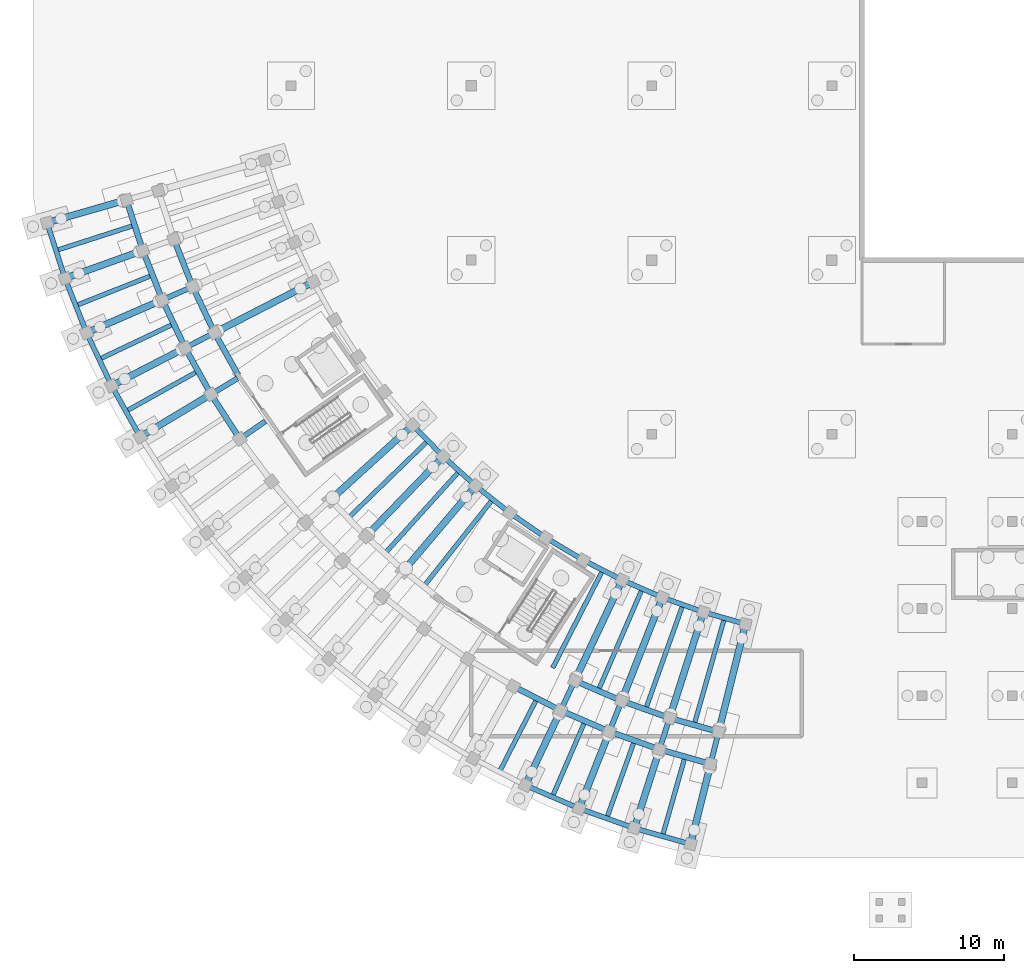
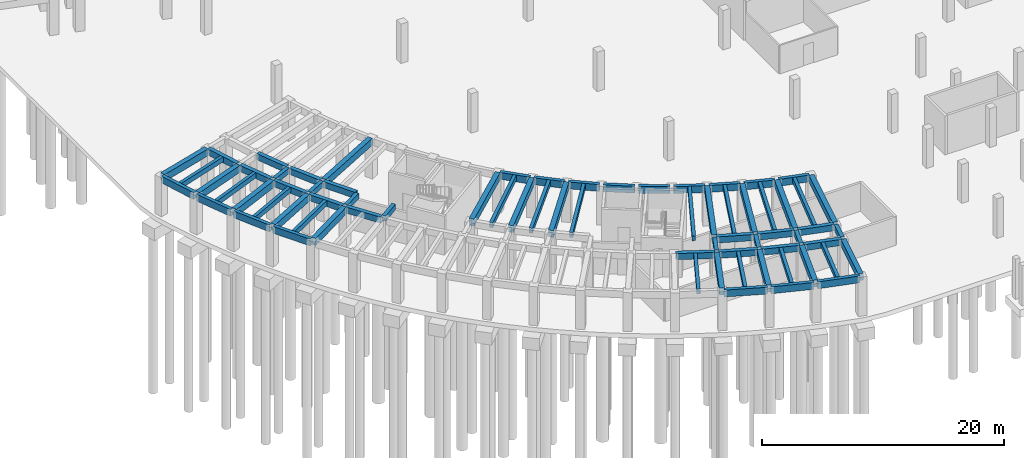
# One storey, part 10 of 29: 71 beams.
"""IFC4 building model written with IfcOpenShell, lengths in metres."""

import ifcopenshell
import ifcopenshell.guid

model = None  # the IFC model being written
_history = None  # IfcOwnerHistory: only IFC2X3 demands one
_inside = {}  # id of a spatial element -> (the spatial element, [elements in it])
_under = {}  # id of a project, library or spatial element -> (it, [spatial elements below it])
_declared = {}  # id of a project -> (the project, [libraries it declares])
_typed = {}  # id of a type object -> (the type object, [elements of that type])
_made_of = {}  # id of a material, layer set ... -> (it, [elements and type objects made of it])


def new_model(schema):
    """Start an empty IFC model of exactly this schema.

    Asked for "IFC4X3", IfcOpenShell would pick the latest addendum, in which some entities
    have other attributes; the version numbers below select the first issue.
    IFC2X3 requires an IfcOwnerHistory on every rooted entity: one is made here for all.
    """
    global model, _history
    if schema == "IFC4X3":
        model = ifcopenshell.file(schema_version=(4, 3, 0, 0))
    else:
        model = ifcopenshell.file(schema=schema)
    _inside.clear()
    _under.clear()
    _declared.clear()
    _typed.clear()
    _made_of.clear()
    _history = None
    if model.schema == "IFC2X3":
        org = make("IfcOrganization", Name="unknown")
        user = make(
            "IfcPersonAndOrganization",
            ThePerson=make("IfcPerson", FamilyName="unknown"),
            TheOrganization=org,
        )
        app = make(
            "IfcApplication",
            ApplicationDeveloper=org,
            Version="unknown",
            ApplicationFullName="unknown",
            ApplicationIdentifier="unknown",
        )
        _history = make(
            "IfcOwnerHistory",
            OwningUser=user,
            OwningApplication=app,
            ChangeAction="ADDED",
            CreationDate=0,
        )
    return model


def make(cls, **values):
    """One entity of the class cls with the attributes given. An attribute that is None is left unset."""
    return model.create_entity(
        cls, **{name: value for name, value in values.items() if value is not None}
    )


def rooted(cls, **values):
    """An entity with a GlobalId (a new one), such as an element, a storey or a relation."""
    return make(cls, GlobalId=ifcopenshell.guid.new(), OwnerHistory=_history, **values)


def si_unit(unit_type, name, prefix=None):
    """IfcSIUnit, for example si_unit("LENGTHUNIT", "METRE", prefix="MILLI")."""
    return make("IfcSIUnit", UnitType=unit_type, Prefix=prefix, Name=name)


def assignment(units):
    """IfcUnitAssignment: the units of a project."""
    return None if units is None else make("IfcUnitAssignment", Units=units)


def point(xyz):
    """IfcCartesianPoint."""
    return None if xyz is None else make("IfcCartesianPoint", Coordinates=xyz)


def direction(xyz):
    """IfcDirection."""
    return None if xyz is None else make("IfcDirection", DirectionRatios=xyz)


def frame(location, z_axis=None, x_axis=None):
    """IfcAxis2Placement3D, a coordinate frame: its origin and axes. An axis left out is left unset."""
    return make(
        "IfcAxis2Placement3D",
        Location=point(location),
        Axis=direction(z_axis),
        RefDirection=direction(x_axis),
    )


def frame_2d(location, x_axis=None):
    """IfcAxis2Placement2D, a coordinate frame in the plane: its origin and x axis."""
    return make(
        "IfcAxis2Placement2D", Location=point(location), RefDirection=direction(x_axis)
    )


def origin():
    """The frame at (0, 0, 0) with its axes left unset."""
    return frame((0.0, 0.0, 0.0))


def origin_2d():
    """The frame at (0, 0) in the plane with its x axis left unset."""
    return frame_2d((0.0, 0.0))


def place(relative_to, where):
    """IfcLocalPlacement: puts the frame where relative to a parent placement (None: the world)."""
    return make(
        "IfcLocalPlacement", PlacementRelTo=relative_to, RelativePlacement=where
    )


def context(
    kind, dimensions, precision=None, world=None, true_north=None, identifier=None
):
    """IfcGeometricRepresentationContext, for example the 3D "Model" context."""
    return make(
        "IfcGeometricRepresentationContext",
        ContextIdentifier=identifier,
        ContextType=kind,
        CoordinateSpaceDimension=dimensions,
        Precision=precision,
        WorldCoordinateSystem=world,
        TrueNorth=true_north,
    )


def subcontext(parent, identifier, kind, view, scale=None):
    """IfcGeometricRepresentationSubContext, for example "Body" below "Model"."""
    return make(
        "IfcGeometricRepresentationSubContext",
        ContextIdentifier=identifier,
        ContextType=kind,
        ParentContext=parent,
        TargetScale=scale,
        TargetView=view,
    )


def project(units=None, contexts=None):
    """IfcProject with its units and contexts."""
    return rooted(
        "IfcProject",
        Name="project",
        RepresentationContexts=contexts,
        UnitsInContext=assignment(units),
    )


def spatial(cls, under=None, at=None, **own):
    """A site, building, storey or space (cls), placed at a placement, below another one or the project."""
    s = rooted(cls, ObjectPlacement=at, **own)
    if under is not None:
        _under.setdefault(under.id(), (under, []))[1].append(s)
    return s


def profile(cls, at=None, kind="AREA", **sizes):
    """A parametric profile (cls). Its sizes go by their IFC names, for example OverallWidth=200.0."""
    return make(cls, ProfileType=kind, Position=at, **sizes)


def rectangle(**sizes):
    """IfcRectangleProfileDef."""
    return profile("IfcRectangleProfileDef", **sizes)


def extrude(swept, where, along, depth):
    """IfcExtrudedAreaSolid: the profile swept, set in the frame where, extruded along a direction by depth."""
    return make(
        "IfcExtrudedAreaSolid",
        SweptArea=swept,
        Position=where,
        ExtrudedDirection=direction(along),
        Depth=depth,
    )


def shape(context_of_items, identifier, shape_type, items):
    """IfcShapeRepresentation: the items that make up one representation, for example the "Body"."""
    return make(
        "IfcShapeRepresentation",
        ContextOfItems=context_of_items,
        RepresentationIdentifier=identifier,
        RepresentationType=shape_type,
        Items=items,
    )


def material(Name=None, Category=None):
    """IfcMaterial."""
    return make("IfcMaterial", Name=Name, Category=Category)


def material_profile(
    of_material, cross_section, Name=None, Category=None, Priority=None
):
    """IfcMaterialProfile: a cross section and its material."""
    return make(
        "IfcMaterialProfile",
        Name=Name,
        Material=of_material,
        Profile=cross_section,
        Priority=Priority,
        Category=Category,
    )


def profile_set(profiles, Name=None, composite=None):
    """IfcMaterialProfileSet."""
    return make(
        "IfcMaterialProfileSet",
        Name=Name,
        MaterialProfiles=profiles,
        CompositeProfile=composite,
    )


def made_of(thing, what):
    """Note that an element or type object is made of a material, layer set ...; save() writes the relation."""
    if what is not None:
        _made_of.setdefault(what.id(), (what, []))[1].append(thing)
    return thing


def type_object(cls, material=None, **own):
    """A type object (cls), such as IfcWallType, which elements share."""
    return made_of(rooted(cls, **own), material)


def element(
    cls,
    number,
    at=None,
    inside=None,
    cuts=None,
    type_object=None,
    material=None,
    context=None,
    identifier="Body",
    shape_type=None,
    held_by="IfcProductDefinitionShape",
    body=None,
    shapes=None,
    **own,
):
    """One element of the class cls, such as IfcWall. Its Tag is "e" and its number.

    at: its placement. inside: the storey or other place that contains it. cuts: it is an
    opening in that element (IfcRelVoidsElement). A single representation is given by context,
    identifier, shape_type and body (its items); several are given by shapes. held_by: the class
    of the entity that holds the representations. save() writes the other relations.
    """
    e = rooted(cls, Tag="e%d" % number, ObjectPlacement=at, **own)
    if body is not None:
        shapes = [shape(context, identifier, shape_type, body)]
    if shapes is not None:
        e.Representation = make(held_by, Representations=shapes)
    if inside is not None:
        _inside.setdefault(inside.id(), (inside, []))[1].append(e)
    if cuts is not None:
        rooted(
            "IfcRelVoidsElement", RelatingBuildingElement=cuts, RelatedOpeningElement=e
        )
    if type_object is not None:
        _typed.setdefault(type_object.id(), (type_object, []))[1].append(e)
    return made_of(e, material)


def aggregate(whole, parts):
    """IfcRelAggregates: a whole, such as a stair, and the parts it consists of."""
    return rooted("IfcRelAggregates", RelatingObject=whole, RelatedObjects=parts)


def save(model, path):
    """Write the relations noted so far, then the file.

    IfcRelAggregates (storeys below a building ...), IfcRelContainedInSpatialStructure (elements
    in a storey), IfcRelDefinesByType, IfcRelAssociatesMaterial and IfcRelDeclares: one each for
    every whole, place, type object, material and project.
    """
    for whole, parts in _under.values():
        aggregate(whole, parts)
    for where, things in _inside.values():
        rooted(
            "IfcRelContainedInSpatialStructure",
            RelatedElements=things,
            RelatingStructure=where,
        )
    for kind, things in _typed.values():
        rooted("IfcRelDefinesByType", RelatedObjects=things, RelatingType=kind)
    for what, things in _made_of.values():
        rooted("IfcRelAssociatesMaterial", RelatedObjects=things, RelatingMaterial=what)
    for by, libraries in _declared.values():
        rooted("IfcRelDeclares", RelatingContext=by, RelatedDefinitions=libraries)
    model.write(path)


model = new_model("IFC4")

# Units and contexts
model_context = context("Model", 3, precision=1e-05, world=origin(), true_north=direction((0.0, 1.0)))
body_context = subcontext(model_context, "Body", "Model", "MODEL_VIEW")
ifc_project = project(units=[si_unit("LENGTHUNIT", "METRE"), si_unit("AREAUNIT", "SQUARE_METRE"), si_unit("VOLUMEUNIT", "CUBIC_METRE"), si_unit("PLANEANGLEUNIT", "RADIAN"), si_unit("MASSUNIT", "GRAM", prefix="KILO")], contexts=[model_context])

# Site, building, storey
site_placement = place(None, origin())
site = spatial("IfcSite", under=ifc_project, at=site_placement, CompositionType="ELEMENT")
building_placement = place(site_placement, origin())
building = spatial("IfcBuilding", under=site, at=building_placement, Name="Tanwirah Colonnade Gardens", CompositionType="ELEMENT")
storey_placement = place(building_placement, frame((0.0, 0.0, -4.199951171875)))
storey = spatial("IfcBuildingStorey", under=building, at=storey_placement, Name="B1", CompositionType="ELEMENT", Elevation=-4.199951171875)

# Beams
ifc_material_1 = material(Name="Precast concrete C40/50", Category="concrete")
ifc_material_profile_1 = material_profile(ifc_material_1, rectangle(XDim=0.35009765625, YDim=0.550048828125, at=origin_2d()), Name="PC-BM 350x550")
ifc_profile_set_1 = profile_set([ifc_material_profile_1], Name="Precast concrete C40/50")
beam_type_1 = type_object("IfcBeamType", Name="BM-PC350A", PredefinedType="BEAM", material=ifc_profile_set_1)
beam_1_placement = place(storey_placement, frame((17.31298828125, 43.76513671875, 3.64501953125), z_axis=(-0.917025109963, -0.398829471952, 0.0), x_axis=(0.398829471952, -0.917025109963, 0.0)))
element("IfcBeam", 1, at=beam_1_placement, inside=storey, type_object=beam_type_1, Name="Block C B1 Corridor Tie Beam 2", PredefinedType="BEAM", context=body_context, shape_type="SweptSolid", body=[
    extrude(rectangle(XDim=0.35009765625, YDim=0.550048828125, at=origin_2d()), origin(), (0.0, 0.0, 1.0), 1.900146484375),
])
for number, where, z_axis, x_axis, name in (
    (2, (18.77099609375, 40.690673828125, 3.64501953125), (-0.888965044602, -0.457975053334, 0.0), (0.457975053334, -0.888965044602, 0.0), "Block C B1 Corridor Tie Beam 3"),
    (3, (20.42724609375, 37.718017578125, 3.64501953125), (-0.857186654737, -0.515005863017, 0.0), (0.515005863017, -0.857186654737, 0.0), "Block C B1 Corridor Tie Beam 4"),
):
    element("IfcBeam", number, at=place(storey_placement, frame(where, z_axis=z_axis, x_axis=x_axis)), inside=storey, type_object=beam_type_1, Name=name, PredefinedType="BEAM", context=body_context, shape_type="SweptSolid", body=[
        extrude(rectangle(XDim=0.35009765625, YDim=0.550048828125, at=origin_2d()), origin(), (0.0, 0.0, 1.0), 1.89990234375),
    ])
beam_2_placement = place(storey_placement, frame((22.2744140625, 34.860107421875, 3.64501953125), z_axis=(-0.821669163201, -0.569964723684, 0.0), x_axis=(0.569964723684, -0.821669163201, 0.0)))
element("IfcBeam", 4, at=beam_2_placement, inside=storey, type_object=beam_type_1, Name="Block C B1 Corridor Tie Beam 5", PredefinedType="BEAM", context=body_context, shape_type="SweptSolid", body=[
    extrude(rectangle(XDim=0.35009765625, YDim=0.550048828125, at=origin_2d()), origin(), (0.0, 0.0, 1.0), 1.900146484375),
])
beam_3_placement = place(storey_placement, frame((42.818359375, 17.46826171875, 3.64501953125), z_axis=(-0.426483812015, -0.904495195172, 0.0), x_axis=(0.904495195172, -0.426483812015, 0.0)))
element("IfcBeam", 5, at=beam_3_placement, inside=storey, type_object=beam_type_1, Name="Block C B1 Corridor Tie Beam 13", PredefinedType="BEAM", context=body_context, shape_type="SweptSolid", body=[
    extrude(rectangle(XDim=0.35009765625, YDim=0.550048828125, at=origin_2d()), origin(), (0.0, 0.0, 1.0), 1.89990234375),
])
beam_4_placement = place(storey_placement, frame((45.94189453125, 16.1181640625, 3.64501953125), z_axis=(-0.366511033969, -0.930413704746, 0.0), x_axis=(0.930413704746, -0.366511033969, 0.0)))
element("IfcBeam", 6, at=beam_4_placement, inside=storey, type_object=beam_type_1, Name="Block C B1 Corridor Tie Beam 14", PredefinedType="BEAM", context=body_context, shape_type="SweptSolid", body=[
    extrude(rectangle(XDim=0.35009765625, YDim=0.550048828125, at=origin_2d()), origin(), (0.0, 0.0, 1.0), 1.899658203125),
])
for number, where, z_axis, x_axis, name in (
    (7, (49.14697265625, 14.975341796875, 3.64501953125), (-0.304794376797, -0.952418179096, 0.0), (0.952418179096, -0.304794376797, 0.0), "Block C B1 Corridor Tie Beam 15"),
    (8, (52.420166015625, 14.044677734375, 3.64501953125), (-0.241961122321, -0.970285945114, 0.0), (0.970285945114, -0.241961122321, 0.0), "Block C B1 Corridor Tie Beam 16"),
):
    element("IfcBeam", number, at=place(storey_placement, frame(where, z_axis=z_axis, x_axis=x_axis)), inside=storey, type_object=beam_type_1, Name=name, PredefinedType="BEAM", context=body_context, shape_type="SweptSolid", body=[
        extrude(rectangle(XDim=0.35009765625, YDim=0.550048828125, at=origin_2d()), origin(), (0.0, 0.0, 1.0), 1.89990234375),
    ])
ifc_material_profile_2 = material_profile(ifc_material_1, rectangle(XDim=0.3798828125, YDim=0.6201171875, at=origin_2d()), Name="PC-BM 380x620")
ifc_profile_set_2 = profile_set([ifc_material_profile_2], Name="Precast concrete C40/50")
beam_type_2 = type_object("IfcBeamType", Name="BM-PC380", PredefinedType="BEAM", material=ifc_profile_set_2)
beam_5_placement = place(storey_placement, frame((13.08984375, 49.458984375, 3.60986328125), z_axis=(0.306980742305, -0.951715726388, 0.0), x_axis=(0.951715726388, 0.306980742305, 0.0)))
element("IfcBeam", 9, at=beam_5_placement, inside=storey, type_object=beam_type_2, Name="Block C B1 Circumferential Beam 0-R2", PredefinedType="BEAM", context=body_context, shape_type="SweptSolid", body=[
    extrude(rectangle(XDim=0.3798828125, YDim=0.6201171875, at=origin_2d()), origin(), (0.0, 0.0, 1.0), 3.23681640625),
])
beam_6_placement = place(storey_placement, frame((16.25537109375, 46.839599609375, 3.60986328125), z_axis=(0.368544574427, -0.929610077753, 0.0), x_axis=(0.929610077753, 0.368544574427, 0.0)))
element("IfcBeam", 10, at=beam_6_placement, inside=storey, type_object=beam_type_2, Name="Block C B1 Circumferential Beam 1-R1", PredefinedType="BEAM", context=body_context, shape_type="SweptSolid", body=[
    extrude(rectangle(XDim=0.3798828125, YDim=0.6201171875, at=origin_2d()), origin(), (0.0, 0.0, 1.0), 3.093017578125),
])
beam_7_placement = place(storey_placement, frame((14.184814453125, 46.09619140625, 3.60986328125), z_axis=(0.368527954052, -0.929616666741, 0.0), x_axis=(0.929616666741, 0.368527954052, 0.0)))
element("IfcBeam", 11, at=beam_7_placement, inside=storey, type_object=beam_type_2, Name="Block C B1 Circumferential Beam 1-R2", PredefinedType="BEAM", context=body_context, shape_type="SweptSolid", body=[
    extrude(rectangle(XDim=0.3798828125, YDim=0.6201171875, at=origin_2d()), origin(), (0.0, 0.0, 1.0), 3.23681640625),
])
beam_8_placement = place(storey_placement, frame((17.5146484375, 43.689453125, 3.60986328125), z_axis=(0.428520598641, -0.903532011907, 0.0), x_axis=(0.903532011907, 0.428520598641, 0.0)))
element("IfcBeam", 12, at=beam_8_placement, inside=storey, type_object=beam_type_2, Name="Block C B1 Circumferential Beam 2-R1", PredefinedType="BEAM", context=body_context, shape_type="SweptSolid", body=[
    extrude(rectangle(XDim=0.3798828125, YDim=0.6201171875, at=origin_2d()), origin(), (0.0, 0.0, 1.0), 3.093017578125),
])
beam_9_placement = place(storey_placement, frame((15.4970703125, 42.81201171875, 3.60986328125), z_axis=(0.428562893949, -0.903511951183, 0.0), x_axis=(0.903511951183, 0.428562893949, 0.0)))
element("IfcBeam", 13, at=beam_9_placement, inside=storey, type_object=beam_type_2, Name="Block C B1 Circumferential Beam 2-R2", PredefinedType="BEAM", context=body_context, shape_type="SweptSolid", body=[
    extrude(rectangle(XDim=0.3798828125, YDim=0.6201171875, at=origin_2d()), origin(), (0.0, 0.0, 1.0), 3.23681640625),
])
beam_10_placement = place(storey_placement, frame((18.9775390625, 40.628173828125, 3.60986328125), z_axis=(0.486708181837, -0.873564620239, 0.0), x_axis=(0.873564620239, 0.486708181837, 0.0)))
element("IfcBeam", 14, at=beam_10_placement, inside=storey, type_object=beam_type_2, Name="Block C B1 Circumferential Beam 3-R1", PredefinedType="BEAM", context=body_context, shape_type="SweptSolid", body=[
    extrude(rectangle(XDim=0.3798828125, YDim=0.6201171875, at=origin_2d()), origin(), (0.0, 0.0, 1.0), 3.093017578125),
])
for number, where, z_axis, x_axis, name in (
    (15, (17.021728515625, 39.620849609375, 3.60986328125), (0.486712025227, -0.873562478875, 0.0), (0.873562478875, 0.486712025227, 0.0), "Block C B1 Circumferential Beam 3-R2"),
    (16, (18.75146484375, 36.5361328125, 3.60986328125), (0.542825891173, -0.839845254718, 0.0), (0.839845254718, 0.542825891173, 0.0), "Block C B1 Circumferential Beam 4-R2"),
):
    element("IfcBeam", number, at=place(storey_placement, frame(where, z_axis=z_axis, x_axis=x_axis)), inside=storey, type_object=beam_type_2, Name=name, PredefinedType="BEAM", context=body_context, shape_type="SweptSolid", body=[
        extrude(rectangle(XDim=0.3798828125, YDim=0.6201171875, at=origin_2d()), origin(), (0.0, 0.0, 1.0), 3.23681640625),
    ])
beam_11_placement = place(storey_placement, frame((38.929443359375, 17.158447265625, 3.60986328125), z_axis=(0.890025451153, -0.45591084249, 0.0), x_axis=(0.45591084249, 0.890025451153, 0.0)))
element("IfcBeam", 17, at=beam_11_placement, inside=storey, type_object=beam_type_2, Name="Block C B1 Circumferential Beam 12-R2", PredefinedType="BEAM", context=body_context, shape_type="SweptSolid", body=[
    extrude(rectangle(XDim=0.3798828125, YDim=0.6201171875, at=origin_2d()), origin(), (0.0, 0.0, 1.0), 3.237060546875),
])
beam_12_placement = place(storey_placement, frame((43.02001953125, 17.54443359375, 3.60986328125), z_axis=(0.917936292782, -0.396727819032, 0.0), x_axis=(0.396727819032, 0.917936292782, 0.0)))
element("IfcBeam", 18, at=beam_12_placement, inside=storey, type_object=beam_type_2, Name="Block C B1 Circumferential Beam 13-R1", PredefinedType="BEAM", context=body_context, shape_type="SweptSolid", body=[
    extrude(rectangle(XDim=0.3798828125, YDim=0.6201171875, at=origin_2d()), origin(), (0.0, 0.0, 1.0), 3.093017578125),
])
beam_13_placement = place(storey_placement, frame((42.08154296875, 15.5546875, 3.60986328125), z_axis=(0.917943156181, -0.396711938338, 0.0), x_axis=(0.396711938338, 0.917943156181, 0.0)))
element("IfcBeam", 19, at=beam_13_placement, inside=storey, type_object=beam_type_2, Name="Block C B1 Circumferential Beam 13-R2", PredefinedType="BEAM", context=body_context, shape_type="SweptSolid", body=[
    extrude(rectangle(XDim=0.3798828125, YDim=0.6201171875, at=origin_2d()), origin(), (0.0, 0.0, 1.0), 3.237060546875),
])
beam_14_placement = place(storey_placement, frame((46.13818359375, 16.20751953125, 3.60986328125), z_axis=(0.941911444877, -0.335861325564, 0.0), x_axis=(0.335861325564, 0.941911444877, 0.0)))
element("IfcBeam", 20, at=beam_14_placement, inside=storey, type_object=beam_type_2, Name="Block C B1 Circumferential Beam 14-R1", PredefinedType="BEAM", context=body_context, shape_type="SweptSolid", body=[
    extrude(rectangle(XDim=0.3798828125, YDim=0.6201171875, at=origin_2d()), origin(), (0.0, 0.0, 1.0), 3.093017578125),
])
beam_15_placement = place(storey_placement, frame((45.331787109375, 14.16064453125, 3.60986328125), z_axis=(0.941917534978, -0.335844245597, 0.0), x_axis=(0.335844245597, 0.941917534978, 0.0)))
element("IfcBeam", 21, at=beam_15_placement, inside=storey, type_object=beam_type_2, Name="Block C B1 Circumferential Beam 14-R2", PredefinedType="BEAM", context=body_context, shape_type="SweptSolid", body=[
    extrude(rectangle(XDim=0.3798828125, YDim=0.6201171875, at=origin_2d()), origin(), (0.0, 0.0, 1.0), 3.237060546875),
])
beam_16_placement = place(storey_placement, frame((49.337158203125, 15.0771484375, 3.60986328125), z_axis=(0.961865763464, -0.273521942585, 0.0), x_axis=(0.273521942585, 0.961865763464, 0.0)))
element("IfcBeam", 22, at=beam_16_placement, inside=storey, type_object=beam_type_2, Name="Block C B1 Circumferential Beam 15-R1", PredefinedType="BEAM", context=body_context, shape_type="SweptSolid", body=[
    extrude(rectangle(XDim=0.3798828125, YDim=0.6201171875, at=origin_2d()), origin(), (0.0, 0.0, 1.0), 3.0927734375),
])
beam_17_placement = place(storey_placement, frame((48.666259765625, 12.98193359375, 3.60986328125), z_axis=(0.96185623635, -0.273555443366, 0.0), x_axis=(0.273555443366, 0.96185623635, 0.0)))
element("IfcBeam", 23, at=beam_17_placement, inside=storey, type_object=beam_type_2, Name="Block C B1 Circumferential Beam 15-R2", PredefinedType="BEAM", context=body_context, shape_type="SweptSolid", body=[
    extrude(rectangle(XDim=0.3798828125, YDim=0.6201171875, at=origin_2d()), origin(), (0.0, 0.0, 1.0), 3.237060546875),
])
ifc_material_2 = material(Name="Precast concrete C45/55", Category="concrete")
ifc_material_profile_3 = material_profile(ifc_material_2, rectangle(XDim=0.449951171875, YDim=0.699951171875, at=origin_2d()), Name="PC-BM 450x700")
ifc_profile_set_3 = profile_set([ifc_material_profile_3], Name="Precast concrete C45/55")
beam_type_3 = type_object("IfcBeamType", Name="BM-PC450", PredefinedType="BEAM", material=ifc_profile_set_3)
for number, where, z_axis, x_axis, name in (
    (24, (12.899658203125, 49.560546875, 3.570068359375), (-0.961259519271, -0.275644946646, 0.0), (0.275644946646, -0.961259519271, 0.0), "Block C B1 Outer Radial Precast Girder 0"),
    (25, (13.98828125, 46.184814453125, 3.570068359375), (-0.941179739589, -0.337906344698, 0.0), (0.337906344698, -0.941179739589, 0.0), "Block C B1 Outer Radial Precast Girder 1"),
):
    element("IfcBeam", number, at=place(storey_placement, frame(where, z_axis=z_axis, x_axis=x_axis)), inside=storey, type_object=beam_type_3, Name=name, PredefinedType="BEAM", context=body_context, shape_type="SweptSolid", body=[
        extrude(rectangle(XDim=0.449951171875, YDim=0.699951171875, at=origin_2d()), origin(), (0.0, 0.0, 1.0), 5.199951171875),
    ])
beam_18_placement = place(storey_placement, frame((15.29541015625, 42.8876953125, 3.570068359375), z_axis=(-0.917063338398, -0.398741562126, 0.0), x_axis=(0.398741562126, -0.917063338398, 0.0)))
element("IfcBeam", 26, at=beam_18_placement, inside=storey, type_object=beam_type_3, Name="Block C B1 Outer Radial Precast Girder 2", PredefinedType="BEAM", context=body_context, shape_type="SweptSolid", body=[
    extrude(rectangle(XDim=0.449951171875, YDim=0.699951171875, at=origin_2d()), origin(), (0.0, 0.0, 1.0), 5.2001953125),
])
beam_19_placement = place(storey_placement, frame((19.037841796875, 40.827880859375, 3.570068359375), z_axis=(0.889012732153, 0.457882476265, 0.0), x_axis=(-0.457882476265, 0.889012732153, 0.0)))
element("IfcBeam", 27, at=beam_19_placement, inside=storey, type_object=beam_type_3, Name="Block C B1 Inner Radial Precast Girder 3", PredefinedType="BEAM", context=body_context, shape_type="SweptSolid", body=[
    extrude(rectangle(XDim=0.449951171875, YDim=0.699951171875, at=origin_2d()), origin(), (0.0, 0.0, 1.0), 7.10009765625),
])
for number, where, z_axis, x_axis, name in (
    (28, (16.815185546875, 39.683349609375, 3.570068359375), (-0.889001198624, -0.457904868771, 0.0), (0.457904868771, -0.889001198624, 0.0), "Block C B1 Outer Radial Precast Girder 3"),
    (29, (18.54150390625, 36.5849609375, 3.570068359375), (-0.857165483371, -0.515041099445, 0.0), (0.515041099445, -0.857165483371, 0.0), "Block C B1 Outer Radial Precast Girder 4"),
):
    element("IfcBeam", number, at=place(storey_placement, frame(where, z_axis=z_axis, x_axis=x_axis)), inside=storey, type_object=beam_type_3, Name=name, PredefinedType="BEAM", context=body_context, shape_type="SweptSolid", body=[
        extrude(rectangle(XDim=0.449951171875, YDim=0.699951171875, at=origin_2d()), origin(), (0.0, 0.0, 1.0), 5.199951171875),
    ])
for number, where, z_axis, x_axis, name in (
    (30, (26.730712890625, 29.738525390625, 3.570068359375), (0.740213850321, 0.672371516197, 0.0), (-0.672371516197, 0.740213850321, 0.0), "Block C B1 Inner Radial Precast Girder 7"),
    (31, (29.086181640625, 27.31005859375, 3.570068359375), (0.694654648761, 0.719343394322, 0.0), (-0.719343394322, 0.694654648761, 0.0), "Block C B1 Inner Radial Precast Girder 8"),
):
    element("IfcBeam", number, at=place(storey_placement, frame(where, z_axis=z_axis, x_axis=x_axis)), inside=storey, type_object=beam_type_3, Name=name, PredefinedType="BEAM", context=body_context, shape_type="SweptSolid", body=[
        extrude(rectangle(XDim=0.449951171875, YDim=0.699951171875, at=origin_2d()), origin(), (0.0, 0.0, 1.0), 7.10009765625),
    ])
beam_20_placement = place(storey_placement, frame((31.595458984375, 25.040771484375, 3.570068359375), z_axis=(0.646117950032, 0.763237574184, 0.0), x_axis=(-0.763237574184, 0.646117950032, 0.0)))
element("IfcBeam", 32, at=beam_20_placement, inside=storey, type_object=beam_type_3, Name="Block C B1 Inner Radial Precast Girder 9", PredefinedType="BEAM", context=body_context, shape_type="SweptSolid", body=[
    extrude(rectangle(XDim=0.449951171875, YDim=0.699951171875, at=origin_2d()), origin(), (0.0, 0.0, 1.0), 7.099853515625),
])
beam_21_placement = place(storey_placement, frame((42.9462890625, 17.73974609375, 3.570068359375), z_axis=(0.426588425311, 0.904445860951, 0.0), x_axis=(-0.904445860951, 0.426588425311, 0.0)))
element("IfcBeam", 33, at=beam_21_placement, inside=storey, type_object=beam_type_3, Name="Block C B1 Inner Radial Precast Girder 13", PredefinedType="BEAM", context=body_context, shape_type="SweptSolid", body=[
    extrude(rectangle(XDim=0.449951171875, YDim=0.699951171875, at=origin_2d()), origin(), (0.0, 0.0, 1.0), 7.10009765625),
])
beam_22_placement = place(storey_placement, frame((41.8798828125, 15.478515625, 3.570068359375), z_axis=(-0.426549833975, -0.904464061827, 0.0), x_axis=(0.904464061827, -0.426549833975, 0.0)))
element("IfcBeam", 34, at=beam_22_placement, inside=storey, type_object=beam_type_3, Name="Block C B1 Outer Radial Precast Girder 13", PredefinedType="BEAM", context=body_context, shape_type="SweptSolid", body=[
    extrude(rectangle(XDim=0.449951171875, YDim=0.699951171875, at=origin_2d()), origin(), (0.0, 0.0, 1.0), 5.199951171875),
])
beam_23_placement = place(storey_placement, frame((46.052001953125, 16.3974609375, 3.570068359375), z_axis=(0.366488437166, 0.930422605821, 0.0), x_axis=(-0.930422605821, 0.366488437166, 0.0)))
element("IfcBeam", 35, at=beam_23_placement, inside=storey, type_object=beam_type_3, Name="Block C B1 Inner Radial Precast Girder 14", PredefinedType="BEAM", context=body_context, shape_type="SweptSolid", body=[
    extrude(rectangle(XDim=0.449951171875, YDim=0.699951171875, at=origin_2d()), origin(), (0.0, 0.0, 1.0), 7.099853515625),
])
beam_24_placement = place(storey_placement, frame((45.1357421875, 14.0712890625, 3.570068359375), z_axis=(-0.366536834267, -0.930403541011, 0.0), x_axis=(0.930403541011, -0.366536834267, 0.0)))
element("IfcBeam", 36, at=beam_24_placement, inside=storey, type_object=beam_type_3, Name="Block C B1 Outer Radial Precast Girder 14", PredefinedType="BEAM", context=body_context, shape_type="SweptSolid", body=[
    extrude(rectangle(XDim=0.449951171875, YDim=0.699951171875, at=origin_2d()), origin(), (0.0, 0.0, 1.0), 5.199951171875),
])
beam_25_placement = place(storey_placement, frame((49.238525390625, 15.26123046875, 3.570068359375), z_axis=(0.304868054367, 0.952394597542, 0.0), x_axis=(-0.952394597542, 0.304868054367, 0.0)))
element("IfcBeam", 37, at=beam_25_placement, inside=storey, type_object=beam_type_3, Name="Block C B1 Inner Radial Precast Girder 15", PredefinedType="BEAM", context=body_context, shape_type="SweptSolid", body=[
    extrude(rectangle(XDim=0.449951171875, YDim=0.699951171875, at=origin_2d()), origin(), (0.0, 0.0, 1.0), 7.099853515625),
])
beam_26_placement = place(storey_placement, frame((48.476318359375, 12.880126953125, 3.570068359375), z_axis=(-0.304852387649, -0.952399612424, 0.0), x_axis=(0.952399612424, -0.304852387649, 0.0)))
element("IfcBeam", 38, at=beam_26_placement, inside=storey, type_object=beam_type_3, Name="Block C B1 Outer Radial Precast Girder 15", PredefinedType="BEAM", context=body_context, shape_type="SweptSolid", body=[
    extrude(rectangle(XDim=0.449951171875, YDim=0.699951171875, at=origin_2d()), origin(), (0.0, 0.0, 1.0), 5.199951171875),
])
beam_27_placement = place(storey_placement, frame((52.49267578125, 14.335693359375, 3.570068359375), z_axis=(0.241904492141, 0.97030006528, 0.0), x_axis=(-0.97030006528, 0.241904492141, 0.0)))
element("IfcBeam", 39, at=beam_27_placement, inside=storey, type_object=beam_type_3, Name="Block C B1 Inner Radial Precast Girder 16", PredefinedType="BEAM", context=body_context, shape_type="SweptSolid", body=[
    extrude(rectangle(XDim=0.449951171875, YDim=0.699951171875, at=origin_2d()), origin(), (0.0, 0.0, 1.0), 7.10009765625),
])
beam_28_placement = place(storey_placement, frame((51.887939453125, 11.909912109375, 3.570068359375), z_axis=(-0.241939024015, -0.970291455522, 0.0), x_axis=(0.970291455522, -0.241939024015, 0.0)))
element("IfcBeam", 40, at=beam_28_placement, inside=storey, type_object=beam_type_3, Name="Block C B1 Outer Radial Precast Girder 16", PredefinedType="BEAM", context=body_context, shape_type="SweptSolid", body=[
    extrude(rectangle(XDim=0.449951171875, YDim=0.699951171875, at=origin_2d()), origin(), (0.0, 0.0, 1.0), 5.199951171875),
])
ifc_material_profile_4 = material_profile(ifc_material_1, rectangle(XDim=0.300048828125, YDim=0.5, at=origin_2d()), Name="PC-JST 300x500")
ifc_profile_set_4 = profile_set([ifc_material_profile_4], Name="Precast concrete C40/50")
beam_type_4 = type_object("IfcBeamType", Name="JST-PC300", PredefinedType="JOIST", material=ifc_profile_set_4)
for number, where, z_axis, x_axis, name in (
    (41, (13.44482421875, 47.873046875, 3.669921875), (-0.95172917624, -0.30693904133, 0.0), (0.30693904133, -0.95172917624, 0.0), "Block C B1 Precast Floor Joist 0"),
    (42, (14.642822265625, 44.53662109375, 3.669921875), (-0.929618207145, -0.368524068338, 0.0), (0.368524068338, -0.929618207145, 0.0), "Block C B1 Precast Floor Joist 1"),
    (43, (16.05615234375, 41.285888671875, 3.669921875), (-0.903517509842, -0.428551174785, 0.0), (0.428551174785, -0.903517509842, 0.0), "Block C B1 Precast Floor Joist 2"),
    (44, (17.67919921875, 38.134521484375, 3.669921875), (-0.87356769437, -0.486702664214, 0.0), (0.486702664214, -0.87356769437, 0.0), "Block C B1 Precast Floor Joist 3"),
):
    element("IfcBeam", number, at=place(storey_placement, frame(where, z_axis=z_axis, x_axis=x_axis)), inside=storey, type_object=beam_type_4, Name=name, PredefinedType="JOIST", context=body_context, shape_type="SweptSolid", body=[
        extrude(rectangle(XDim=0.300048828125, YDim=0.5, at=origin_2d()), origin(), (0.0, 0.0, 1.0), 5.260009765625),
    ])
beam_29_placement = place(storey_placement, frame((33.006591796875, 33.46923828125, 3.669921875), z_axis=(-0.717816218075, -0.69623263143, 0.0), x_axis=(0.69623263143, -0.717816218075, 0.0)))
element("IfcBeam", 45, at=beam_29_placement, inside=storey, type_object=beam_type_4, Name="Block C B1 Inner Precast Floor Joist 7", PredefinedType="JOIST", context=body_context, shape_type="SweptSolid", body=[
    extrude(rectangle(XDim=0.300048828125, YDim=0.5, at=origin_2d()), origin(), (0.0, 0.0, 1.0), 7.16015625),
])
for number, where, z_axis, x_axis, name in (
    (46, (35.104736328125, 31.443115234375, 3.669921875), (-0.670773136608, -0.741662591214, 0.0), (0.741662591214, -0.670773136608, 0.0), "Block C B1 Inner Precast Floor Joist 8"),
    (47, (37.33056640625, 29.55859375, 3.669921875), (-0.620803379809, -0.783966302603, 0.0), (0.783966302603, -0.620803379809, 0.0), "Block C B1 Inner Precast Floor Joist 9"),
):
    element("IfcBeam", number, at=place(storey_placement, frame(where, z_axis=z_axis, x_axis=x_axis)), inside=storey, type_object=beam_type_4, Name=name, PredefinedType="JOIST", context=body_context, shape_type="SweptSolid", body=[
        extrude(rectangle(XDim=0.300048828125, YDim=0.5, at=origin_2d()), origin(), (0.0, 0.0, 1.0), 7.159912109375),
    ])
beam_30_placement = place(storey_placement, frame((40.302001953125, 16.287841796875, 3.669921875), z_axis=(-0.455936851617, -0.890012127635, 0.0), x_axis=(0.890012127635, -0.455936851617, 0.0)))
element("IfcBeam", 48, at=beam_30_placement, inside=storey, type_object=beam_type_4, Name="Block C B1 Precast Floor Joist 12", PredefinedType="JOIST", context=body_context, shape_type="SweptSolid", body=[
    extrude(rectangle(XDim=0.300048828125, YDim=0.5, at=origin_2d()), origin(), (0.0, 0.0, 1.0), 5.260009765625),
])
beam_31_placement = place(storey_placement, frame((44.678955078125, 24.83203125, 3.669921875), z_axis=(-0.455921327553, -0.890020080157, 0.0), x_axis=(0.890020080157, -0.455921327553, 0.0)))
element("IfcBeam", 49, at=beam_31_placement, inside=storey, type_object=beam_type_4, Name="Block C B1 Inner Precast Floor Joist 12", PredefinedType="JOIST", context=body_context, shape_type="SweptSolid", body=[
    extrude(rectangle(XDim=0.300048828125, YDim=0.5, at=origin_2d()), origin(), (0.0, 0.0, 1.0), 7.159912109375),
])
beam_32_placement = place(storey_placement, frame((43.50830078125, 14.77587890625, 3.669921875), z_axis=(-0.396746282, -0.917928312952, 0.0), x_axis=(0.917928312952, -0.396746282, 0.0)))
element("IfcBeam", 50, at=beam_32_placement, inside=storey, type_object=beam_type_4, Name="Block C B1 Precast Floor Joist 13", PredefinedType="JOIST", context=body_context, shape_type="SweptSolid", body=[
    extrude(rectangle(XDim=0.300048828125, YDim=0.5, at=origin_2d()), origin(), (0.0, 0.0, 1.0), 5.260009765625),
])
beam_33_placement = place(storey_placement, frame((47.31689453125, 23.587890625, 3.669921875), z_axis=(-0.396736454079, -0.917932560706, 0.0), x_axis=(0.917932560706, -0.396736454079, 0.0)))
element("IfcBeam", 51, at=beam_33_placement, inside=storey, type_object=beam_type_4, Name="Block C B1 Inner Precast Floor Joist 13", PredefinedType="JOIST", context=body_context, shape_type="SweptSolid", body=[
    extrude(rectangle(XDim=0.300048828125, YDim=0.5, at=origin_2d()), origin(), (0.0, 0.0, 1.0), 7.159912109375),
])
beam_34_placement = place(storey_placement, frame((46.806396484375, 13.4765625, 3.669921875), z_axis=(-0.335862957845, -0.941910862846, 0.0), x_axis=(0.941910862846, -0.335862957845, 0.0)))
element("IfcBeam", 52, at=beam_34_placement, inside=storey, type_object=beam_type_4, Name="Block C B1 Precast Floor Joist 14", PredefinedType="JOIST", context=body_context, shape_type="SweptSolid", body=[
    extrude(rectangle(XDim=0.300048828125, YDim=0.5, at=origin_2d()), origin(), (0.0, 0.0, 1.0), 5.260009765625),
])
beam_35_placement = place(storey_placement, frame((50.030517578125, 22.51904296875, 3.669921875), z_axis=(-0.335861148107, -0.941911508154, 0.0), x_axis=(0.941911508154, -0.335861148107, 0.0)))
element("IfcBeam", 53, at=beam_35_placement, inside=storey, type_object=beam_type_4, Name="Block C B1 Inner Precast Floor Joist 14", PredefinedType="JOIST", context=body_context, shape_type="SweptSolid", body=[
    extrude(rectangle(XDim=0.300048828125, YDim=0.5, at=origin_2d()), origin(), (0.0, 0.0, 1.0), 7.16015625),
])
beam_36_placement = place(storey_placement, frame((50.182373046875, 12.39599609375, 3.669921875), z_axis=(-0.27352550206, -0.961864751263, 0.0), x_axis=(0.961864751263, -0.27352550206, 0.0)))
element("IfcBeam", 54, at=beam_36_placement, inside=storey, type_object=beam_type_4, Name="Block C B1 Precast Floor Joist 15", PredefinedType="JOIST", context=body_context, shape_type="SweptSolid", body=[
    extrude(rectangle(XDim=0.300048828125, YDim=0.5, at=origin_2d()), origin(), (0.0, 0.0, 1.0), 5.260009765625),
])
beam_37_placement = place(storey_placement, frame((52.808349609375, 21.6298828125, 3.669921875), z_axis=(-0.273532000762, -0.961862903204, 0.0), x_axis=(0.961862903204, -0.273532000762, 0.0)))
element("IfcBeam", 55, at=beam_37_placement, inside=storey, type_object=beam_type_4, Name="Block C B1 Inner Precast Floor Joist 15", PredefinedType="JOIST", context=body_context, shape_type="SweptSolid", body=[
    extrude(rectangle(XDim=0.300048828125, YDim=0.5, at=origin_2d()), origin(), (0.0, 0.0, 1.0), 7.159912109375),
])
ifc_material_profile_5 = material_profile(ifc_material_1, rectangle(XDim=0.330078125, YDim=0.68994140625, at=origin_2d()), Name="PC-SP 330x690")
ifc_profile_set_5 = profile_set([ifc_material_profile_5], Name="Precast concrete C40/50")
beam_type_5 = type_object("IfcBeamType", Name="SP-PC280", PredefinedType="SPANDREL", material=ifc_profile_set_5)
beam_38_placement = place(storey_placement, frame((7.802978515625, 47.943115234375, 3.574951171875), z_axis=(0.306927419976, -0.951732924127, 0.0), x_axis=(0.951732924127, 0.306927419976, 0.0)))
element("IfcBeam", 56, at=beam_38_placement, inside=storey, type_object=beam_type_5, Name="Block C B1 Circumferential Beam 0-R3", PredefinedType="SPANDREL", context=body_context, shape_type="SweptSolid", body=[
    extrude(rectangle(XDim=0.330078125, YDim=0.68994140625, at=origin_2d()), origin(), (0.0, 0.0, 1.0), 3.596923828125),
])
for number, where, z_axis, x_axis, name in (
    (57, (9.00830078125, 44.237548828125, 3.574951171875), (0.368521552478, -0.929619204491, 0.0), (0.929619204491, 0.368521552478, 0.0), "Block C B1 Circumferential Beam 1-R3"),
    (58, (10.453369140625, 40.618896484375, 3.574951171875), (0.428518139447, -0.903533178231, 0.0), (0.903533178231, 0.428518139447, 0.0), "Block C B1 Circumferential Beam 2-R3"),
    (59, (12.132080078125, 37.1025390625, 3.574951171875), (0.486679958674, -0.87358034423, 0.0), (0.87358034423, 0.486679958674, 0.0), "Block C B1 Circumferential Beam 3-R3"),
):
    element("IfcBeam", number, at=place(storey_placement, frame(where, z_axis=z_axis, x_axis=x_axis)), inside=storey, type_object=beam_type_5, Name=name, PredefinedType="SPANDREL", context=body_context, shape_type="SweptSolid", body=[
        extrude(rectangle(XDim=0.330078125, YDim=0.68994140625, at=origin_2d()), origin(), (0.0, 0.0, 1.0), 3.5966796875),
    ])
beam_39_placement = place(storey_placement, frame((32.20166015625, 34.505615234375, 3.574951171875), z_axis=(0.696262751108, -0.717787002822, 0.0), x_axis=(0.717787002822, 0.696262751108, 0.0)))
element("IfcBeam", 60, at=beam_39_placement, inside=storey, type_object=beam_type_5, Name="Block C B1 Circumferential Beam 7-R0", PredefinedType="SPANDREL", context=body_context, shape_type="SweptSolid", body=[
    extrude(rectangle(XDim=0.330078125, YDim=0.68994140625, at=origin_2d()), origin(), (0.0, 0.0, 1.0), 2.60888671875),
])
beam_40_placement = place(storey_placement, frame((34.233642578125, 32.4248046875, 3.574951171875), z_axis=(0.741686528432, -0.670746668678, 0.0), x_axis=(0.670746668678, 0.741686528432, 0.0)))
element("IfcBeam", 61, at=beam_40_placement, inside=storey, type_object=beam_type_5, Name="Block C B1 Circumferential Beam 8-R0", PredefinedType="SPANDREL", context=body_context, shape_type="SweptSolid", body=[
    extrude(rectangle(XDim=0.330078125, YDim=0.68994140625, at=origin_2d()), origin(), (0.0, 0.0, 1.0), 2.608642578125),
])
for number, where, z_axis, x_axis, name in (
    (62, (36.3974609375, 30.481201171875, 3.574951171875), (0.783945239852, -0.62082997746, 0.0), (0.62082997746, 0.783945239852, 0.0), "Block C B1 Circumferential Beam 9-R0"),
    (63, (38.68359375, 28.683349609375, 3.574951171875), (0.822868771031, -0.568231454305, 0.0), (0.568231454305, 0.822868771031, 0.0), "Block C B1 Circumferential Beam 10-R0"),
):
    element("IfcBeam", number, at=place(storey_placement, frame(where, z_axis=z_axis, x_axis=x_axis)), inside=storey, type_object=beam_type_5, Name=name, PredefinedType="SPANDREL", context=body_context, shape_type="SweptSolid", body=[
        extrude(rectangle(XDim=0.330078125, YDim=0.68994140625, at=origin_2d()), origin(), (0.0, 0.0, 1.0), 2.60888671875),
    ])
for number, where, z_axis, x_axis, name in (
    (64, (41.08251953125, 27.038818359375, 3.574951171875), (0.858301131151, -0.513146341958, 0.0), (0.513146341958, 0.858301131151, 0.0), "Block C B1 Circumferential Beam 11-R0"),
    (65, (43.583740234375, 25.5546875, 3.574951171875), (0.890042438658, -0.455877678097, 0.0), (0.455877678097, 0.890042438658, 0.0), "Block C B1 Circumferential Beam 12-R0"),
    (66, (46.1767578125, 24.237548828125, 3.574951171875), (0.917901260915, -0.396808864833, 0.0), (0.396808864833, 0.917901260915, 0.0), "Block C B1 Circumferential Beam 13-R0"),
):
    element("IfcBeam", number, at=place(storey_placement, frame(where, z_axis=z_axis, x_axis=x_axis)), inside=storey, type_object=beam_type_5, Name=name, PredefinedType="SPANDREL", context=body_context, shape_type="SweptSolid", body=[
        extrude(rectangle(XDim=0.330078125, YDim=0.68994140625, at=origin_2d()), origin(), (0.0, 0.0, 1.0), 2.608642578125),
    ])
beam_41_placement = place(storey_placement, frame((39.735595703125, 10.580078125, 3.574951171875), z_axis=(0.917925861765, -0.396751953118, 0.0), x_axis=(0.396751953118, 0.917925861765, 0.0)))
element("IfcBeam", 67, at=beam_41_placement, inside=storey, type_object=beam_type_5, Name="Block C B1 Circumferential Beam 13-R3", PredefinedType="SPANDREL", context=body_context, shape_type="SweptSolid", body=[
    extrude(rectangle(XDim=0.330078125, YDim=0.68994140625, at=origin_2d()), origin(), (0.0, 0.0, 1.0), 3.5966796875),
])
beam_42_placement = place(storey_placement, frame((48.850341796875, 23.092529296875, 3.574951171875), z_axis=(0.941898499992, -0.335897626835, 0.0), x_axis=(0.335897626835, 0.941898499992, 0.0)))
element("IfcBeam", 68, at=beam_42_placement, inside=storey, type_object=beam_type_5, Name="Block C B1 Circumferential Beam 14-R0", PredefinedType="SPANDREL", context=body_context, shape_type="SweptSolid", body=[
    extrude(rectangle(XDim=0.330078125, YDim=0.68994140625, at=origin_2d()), origin(), (0.0, 0.0, 1.0), 2.608642578125),
])
beam_43_placement = place(storey_placement, frame((43.316162109375, 9.043212890625, 3.574951171875), z_axis=(0.941915315404, -0.335850470607, 0.0), x_axis=(0.335850470607, 0.941915315404, 0.0)))
element("IfcBeam", 69, at=beam_43_placement, inside=storey, type_object=beam_type_5, Name="Block C B1 Circumferential Beam 14-R3", PredefinedType="SPANDREL", context=body_context, shape_type="SweptSolid", body=[
    extrude(rectangle(XDim=0.330078125, YDim=0.68994140625, at=origin_2d()), origin(), (0.0, 0.0, 1.0), 3.596923828125),
])
beam_44_placement = place(storey_placement, frame((51.593017578125, 22.125, 3.574951171875), z_axis=(0.961858721299, -0.273546705814, 0.0), x_axis=(0.273546705814, 0.961858721299, 0.0)))
element("IfcBeam", 70, at=beam_44_placement, inside=storey, type_object=beam_type_5, Name="Block C B1 Circumferential Beam 15-R0", PredefinedType="SPANDREL", context=body_context, shape_type="SweptSolid", body=[
    extrude(rectangle(XDim=0.330078125, YDim=0.68994140625, at=origin_2d()), origin(), (0.0, 0.0, 1.0), 2.60888671875),
])
beam_45_placement = place(storey_placement, frame((46.989501953125, 7.743896484375, 3.574951171875), z_axis=(0.96186131547, -0.273537583893, 0.0), x_axis=(0.273537583893, 0.96186131547, 0.0)))
element("IfcBeam", 71, at=beam_45_placement, inside=storey, type_object=beam_type_5, Name="Block C B1 Circumferential Beam 15-R3", PredefinedType="SPANDREL", context=body_context, shape_type="SweptSolid", body=[
    extrude(rectangle(XDim=0.330078125, YDim=0.68994140625, at=origin_2d()), origin(), (0.0, 0.0, 1.0), 3.596923828125),
])

save(model, "model.ifc")
